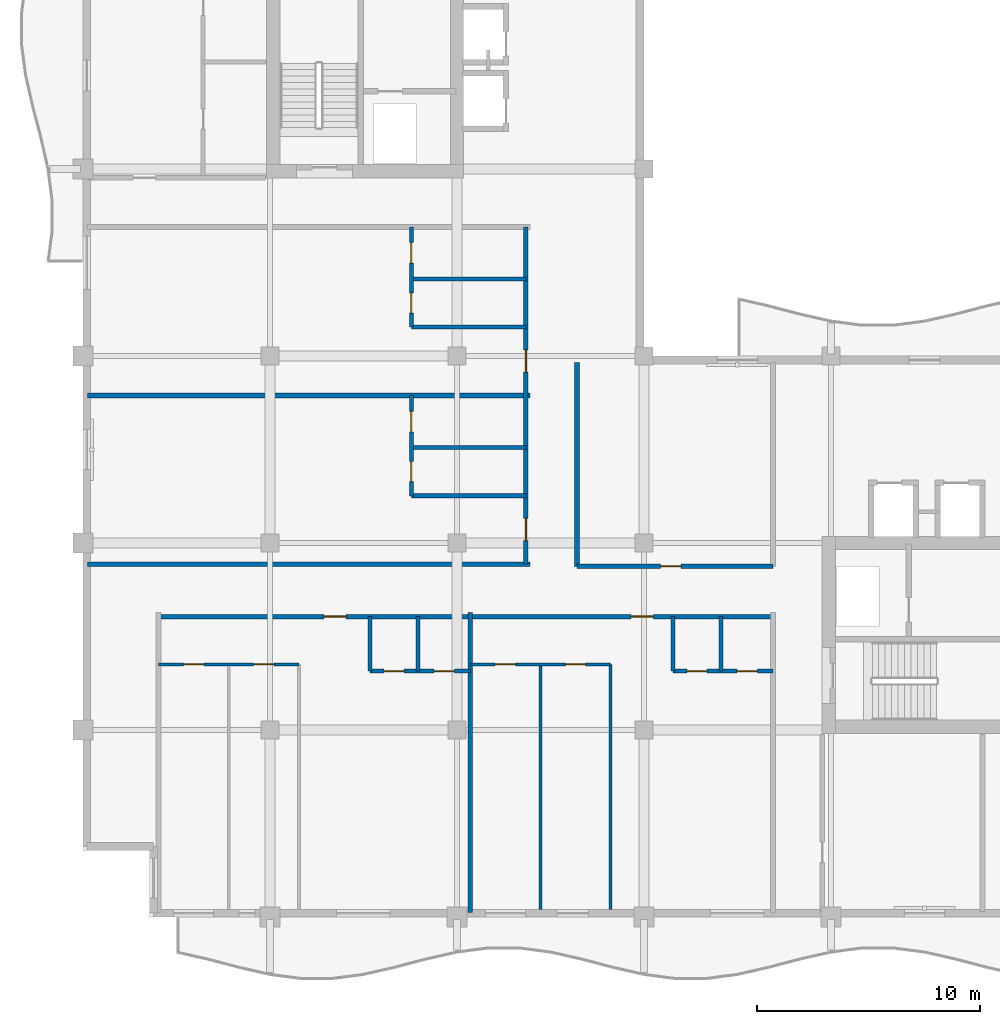
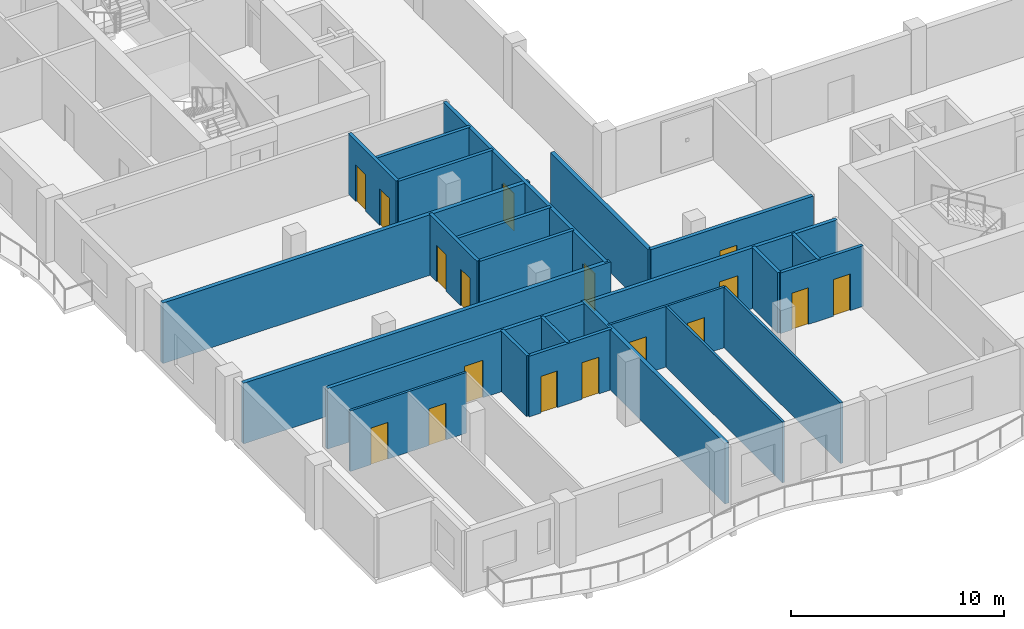
# One storey, part 3 of 12: 23 walls, 17 doors, 17 openings.
"""IFC4 building model written with IfcOpenShell, lengths in metres."""

from ifc_helpers import new_model, si_unit, direction, frame, frame_2d, origin, place, context, subcontext, project, spatial, rectangle, extrude, material, layer, layer_set, type_object, element, fill, save


model = new_model("IFC4")

# Units and contexts
model_context = context("Model", 3, precision=1e-05, world=origin(), true_north=direction((0.0, 1.0)))
body_context = subcontext(model_context, "Body", "Model", "MODEL_VIEW")
ifc_project = project(units=[si_unit("LENGTHUNIT", "METRE"), si_unit("AREAUNIT", "SQUARE_METRE"), si_unit("VOLUMEUNIT", "CUBIC_METRE"), si_unit("PLANEANGLEUNIT", "RADIAN"), si_unit("MASSUNIT", "GRAM", prefix="KILO")], contexts=[model_context])

# Site, building, storey
site_placement = place(None, origin())
site = spatial("IfcSite", under=ifc_project, at=site_placement, CompositionType="ELEMENT")
building_placement = place(site_placement, origin())
building = spatial("IfcBuilding", under=site, at=building_placement, Name="Koriwani Terraces Tower", CompositionType="ELEMENT")
storey_placement = place(building_placement, frame((0.0, 0.0, 263.800048828125)))
storey = spatial("IfcBuildingStorey", under=building, at=storey_placement, Name="L65", CompositionType="ELEMENT", Elevation=263.800048828125)

# Wall, opening, door
ifc_material_1 = material(Name="Autoclaved Cellular Concrete Blockwork", Category="masonry")
ifc_layer_1 = layer(ifc_material_1, 0.199951171875, Name="Autoclaved Cellular Concrete Blockwork")
ifc_layer_set_1 = layer_set([ifc_layer_1], Name="Autoclaved Cellular Concrete Blockwork")
wall_type_1 = type_object("IfcWallType", Name="WALL_CORRIDOR_200", PredefinedType="PARTITIONING", material=ifc_layer_set_1)
wall_1_placement = place(storey_placement, frame((30.60009765625, 24.14990234375, 0.0), z_axis=(0.0, 0.0, 1.0), x_axis=(1.0, 0.0, 0.0)))
wall_1 = element("IfcWall", 1, at=wall_1_placement, inside=storey, type_object=wall_type_1, Name="L65 Interior Wall WIC4S-L65", PredefinedType="PARTITIONING", context=body_context, shape_type="SweptSolid", body=[
    extrude(rectangle(XDim=8.7998046875, YDim=0.199951171875, at=frame_2d((4.39990234375, 0.0))), origin(), (0.0, 0.0, 1.0), 3.469970703125),
])
opening_1_placement = place(wall_1_placement, frame((3.75, 0.0, 0.0)))
opening_1 = element("IfcOpeningElement", 2, at=opening_1_placement, cuts=wall_1, Name="Opening D-06", PredefinedType="OPENING", context=body_context, shape_type="SweptSolid", body=[
    extrude(rectangle(XDim=0.919921875, YDim=2.10009765625, at=frame_2d((0.4599609375, 1.050048828125))), frame((0.0, 0.10986328125, 0.0), z_axis=(0.0, -1.0, 0.0), x_axis=(1.0, 0.0, 0.0)), (0.0, 0.0, 1.0), 0.219970703125),
])
ifc_material_2 = material(Name="Architectural Oak Fire Door", Category="wood")
door_type_1 = type_object("IfcDoorType", Name="DOOR_ROOM_INT_920X2100", OperationType="NOTDEFINED", PredefinedType="DOOR", material=ifc_material_2)
door_1_placement = place(opening_1_placement, origin())
door_1 = element("IfcDoor", 3, at=door_1_placement, inside=storey, type_object=door_type_1, Name="L65 High-Rise Court Lounge Door", OperationType="SINGLE_SWING_LEFT", OverallHeight=2.10009765625, OverallWidth=0.919921875, PredefinedType="DOOR", context=body_context, shape_type="SweptSolid", body=[
    extrude(rectangle(XDim=0.919921875, YDim=2.10009765625, at=frame_2d((0.4599609375, 1.050048828125))), frame((0.0, 0.02490234375, 0.0), z_axis=(0.0, -1.0, 0.0), x_axis=(1.0, 0.0, 0.0)), (0.0, 0.0, 1.0), 0.050048828125),
])
fill(opening_1, door_1)

# Wall, openings, doors
wall_2_placement = place(storey_placement, frame((11.800048828125, 21.89990234375, 0.0), z_axis=(0.0, 0.0, 1.0), x_axis=(1.0, 0.0, 0.0)))
wall_2 = element("IfcWall", 4, at=wall_2_placement, inside=storey, type_object=wall_type_1, Name="L65 Interior Wall WRCOR-L65-SW-0", PredefinedType="PARTITIONING", context=body_context, shape_type="SweptSolid", body=[
    extrude(rectangle(XDim=27.599853515625, YDim=0.199951171875, at=frame_2d((13.7998046875, 0.0))), origin(), (0.0, 0.0, 1.0), 3.469970703125),
])
opening_2_placement = place(wall_2_placement, frame((7.419921875, 0.0, 0.0)))
opening_2 = element("IfcOpeningElement", 5, at=opening_2_placement, cuts=wall_2, Name="Opening D-05", PredefinedType="OPENING", context=body_context, shape_type="SweptSolid", body=[
    extrude(rectangle(XDim=1.0, YDim=2.14990234375, at=frame_2d((0.5, 1.074951171875))), frame((0.0, 0.10986328125, 0.0), z_axis=(0.0, -1.0, 0.0), x_axis=(1.0, 0.0, 0.0)), (0.0, 0.0, 1.0), 0.219970703125),
])
opening_3_placement = place(wall_2_placement, frame((21.219970703125, 0.0, 0.0)))
opening_3 = element("IfcOpeningElement", 6, at=opening_3_placement, cuts=wall_2, Name="Opening D-05", PredefinedType="OPENING", context=body_context, shape_type="SweptSolid", body=[
    extrude(rectangle(XDim=1.0, YDim=2.14990234375, at=frame_2d((0.5, 1.074951171875))), frame((0.0, 0.10986328125, 0.0), z_axis=(0.0, -1.0, 0.0), x_axis=(1.0, 0.0, 0.0)), (0.0, 0.0, 1.0), 0.219970703125),
])
door_type_2 = type_object("IfcDoorType", Name="DOOR_SUITE_ENTRY_1000X2150", OperationType="NOTDEFINED", PredefinedType="DOOR", material=ifc_material_2)
door_2_placement = place(opening_2_placement, origin())
door_2 = element("IfcDoor", 7, at=door_2_placement, inside=storey, type_object=door_type_2, Name="Apartment 65SW1 Entrance Door", OperationType="SINGLE_SWING_RIGHT", OverallHeight=2.14990234375, OverallWidth=1.0, PredefinedType="DOOR", context=body_context, shape_type="SweptSolid", body=[
    extrude(rectangle(XDim=1.0, YDim=2.14990234375, at=frame_2d((0.5, 1.074951171875))), frame((0.0, 0.02490234375, 0.0), z_axis=(0.0, -1.0, 0.0), x_axis=(1.0, 0.0, 0.0)), (0.0, 0.0, 1.0), 0.050048828125),
])
fill(opening_2, door_2)
door_3_placement = place(opening_3_placement, origin())
door_3 = element("IfcDoor", 8, at=door_3_placement, inside=storey, type_object=door_type_2, Name="Apartment 65SW2 Entrance Door", OperationType="SINGLE_SWING_LEFT", OverallHeight=2.14990234375, OverallWidth=1.0, PredefinedType="DOOR", context=body_context, shape_type="SweptSolid", body=[
    extrude(rectangle(XDim=1.0, YDim=2.14990234375, at=frame_2d((0.5, 1.074951171875))), frame((0.0, 0.02490234375, 0.0), z_axis=(0.0, -1.0, 0.0), x_axis=(1.0, 0.0, 0.0)), (0.0, 0.0, 1.0), 0.050048828125),
])
fill(opening_3, door_3)

wall_3_placement = place(storey_placement, frame((28.300048828125, 24.25, 0.0), z_axis=(0.0, 0.0, 1.0), x_axis=(0.0, 1.0, 0.0)))
wall_3 = element("IfcWall", 9, at=wall_3_placement, inside=storey, type_object=wall_type_1, Name="L65 Interior Wall WRCOR-L65-NE-0", PredefinedType="PARTITIONING", context=body_context, shape_type="SweptSolid", body=[
    extrude(rectangle(XDim=15.14990234375, YDim=0.199951171875, at=frame_2d((7.574951171875, 0.0))), origin(), (0.0, 0.0, 1.0), 3.469970703125),
])
opening_4_placement = place(wall_3_placement, frame((1.0576171875, 0.0, 0.0)))
opening_4 = element("IfcOpeningElement", 10, at=opening_4_placement, cuts=wall_3, Name="Opening D-05", PredefinedType="OPENING", context=body_context, shape_type="SweptSolid", body=[
    extrude(rectangle(XDim=1.0, YDim=2.14990234375, at=frame_2d((0.5, 1.074951171875))), frame((0.0, 0.10986328125, 0.0), z_axis=(0.0, -1.0, 0.0), x_axis=(1.0, 0.0, 0.0)), (0.0, 0.0, 1.0), 0.219970703125),
])
opening_5_placement = place(wall_3_placement, frame((8.632568359375, 0.0, 0.0)))
opening_5 = element("IfcOpeningElement", 11, at=opening_5_placement, cuts=wall_3, Name="Opening D-05", PredefinedType="OPENING", context=body_context, shape_type="SweptSolid", body=[
    extrude(rectangle(XDim=1.0, YDim=2.14990234375, at=frame_2d((0.5, 1.074951171875))), frame((0.0, 0.10986328125, 0.0), z_axis=(0.0, -1.0, 0.0), x_axis=(1.0, 0.0, 0.0)), (0.0, 0.0, 1.0), 0.219970703125),
])
door_4_placement = place(opening_4_placement, origin())
door_4 = element("IfcDoor", 12, at=door_4_placement, inside=storey, type_object=door_type_2, Name="Apartment 65NE1 Entrance Door", OperationType="SINGLE_SWING_RIGHT", OverallHeight=2.14990234375, OverallWidth=1.0, PredefinedType="DOOR", context=body_context, shape_type="SweptSolid", body=[
    extrude(rectangle(XDim=1.0, YDim=2.14990234375, at=frame_2d((0.5, 1.074951171875))), frame((0.0, 0.02490234375, 0.0), z_axis=(0.0, -1.0, 0.0), x_axis=(1.0, 0.0, 0.0)), (0.0, 0.0, 1.0), 0.050048828125),
])
fill(opening_4, door_4)
door_5_placement = place(opening_5_placement, origin())
door_5 = element("IfcDoor", 13, at=door_5_placement, inside=storey, type_object=door_type_2, Name="Apartment 65NE2 Entrance Door", OperationType="SINGLE_SWING_LEFT", OverallHeight=2.14990234375, OverallWidth=1.0, PredefinedType="DOOR", context=body_context, shape_type="SweptSolid", body=[
    extrude(rectangle(XDim=1.0, YDim=2.14990234375, at=frame_2d((0.5, 1.074951171875))), frame((0.0, 0.02490234375, 0.0), z_axis=(0.0, -1.0, 0.0), x_axis=(1.0, 0.0, 0.0)), (0.0, 0.0, 1.0), 0.050048828125),
])
fill(opening_5, door_5)

# Walls
ifc_layer_2 = layer(ifc_material_1, 0.219970703125, Name="Autoclaved Cellular Concrete Blockwork")
ifc_layer_set_2 = layer_set([ifc_layer_2], Name="Autoclaved Cellular Concrete Blockwork")
wall_type_2 = type_object("IfcWallType", Name="WALL_DEMISING_220", PredefinedType="PARTITIONING", material=ifc_layer_set_2)
wall_4_placement = place(storey_placement, frame((30.60009765625, 24.14990234375, 0.0), z_axis=(0.0, 0.0, 1.0), x_axis=(0.0, 1.0, 0.0)))
element("IfcWall", 14, at=wall_4_placement, inside=storey, type_object=wall_type_2, Name="L65 Interior Wall WIC4SW-L65", PredefinedType="PARTITIONING", context=body_context, shape_type="SweptSolid", body=[
    extrude(rectangle(XDim=9.150146484375, YDim=0.219970703125, at=frame_2d((4.5751953125, 0.0))), origin(), (0.0, 0.0, 1.0), 3.469970703125),
])
wall_5_placement = place(storey_placement, frame((25.800048828125, 8.60009765625, 0.0), z_axis=(0.0, 0.0, 1.0), x_axis=(0.0, 1.0, 0.0)))
element("IfcWall", 15, at=wall_5_placement, inside=storey, type_object=wall_type_2, Name="L65 Interior Wall WRDEM-L65-SW-1", PredefinedType="PARTITIONING", context=body_context, shape_type="SweptSolid", body=[
    extrude(rectangle(XDim=13.47998046875, YDim=0.219970703125, at=frame_2d((6.739990234375, 0.0))), origin(), (0.0, 0.0, 1.0), 3.469970703125),
])
for number, where, z_axis, x_axis, name in (
    (16, (8.60009765625, 24.25, 0.0), (0.0, 0.0, 1.0), (1.0, 0.0, 0.0), "L65 Interior Wall WRDEM-L65-NE-0"),
    (17, (8.60009765625, 31.824951171875, 0.0), (0.0, 0.0, 1.0), (1.0, 0.0, 0.0), "L65 Interior Wall WRDEM-L65-NE-1"),
):
    element("IfcWall", number, at=place(storey_placement, frame(where, z_axis=z_axis, x_axis=x_axis)), inside=storey, type_object=wall_type_2, Name=name, PredefinedType="PARTITIONING", context=body_context, shape_type="SweptSolid", body=[
        extrude(rectangle(XDim=19.8798828125, YDim=0.219970703125, at=frame_2d((9.93994140625, 0.0))), origin(), (0.0, 0.0, 1.0), 3.469970703125),
    ])

# Wall, openings, doors
ifc_material_3 = material(Name="Fire-Rated Acoustic Gypsum Partition", Category="masonry")
ifc_layer_3 = layer(ifc_material_3, 0.125, Name="Fire-Rated Acoustic Gypsum Partition")
ifc_layer_set_3 = layer_set([ifc_layer_3], Name="Fire-Rated Acoustic Gypsum Partition")
wall_type_3 = type_object("IfcWallType", Name="WALL_INT_125", PredefinedType="PARTITIONING", material=ifc_layer_set_3)
wall_6_placement = place(storey_placement, frame((11.800048828125, 19.75, 0.0), z_axis=(0.0, 0.0, 1.0), x_axis=(1.0, 0.0, 0.0)))
wall_6 = element("IfcWall", 18, at=wall_6_placement, inside=storey, type_object=wall_type_3, Name="L65 Interior Wall WRBH-L65-SW-0", PredefinedType="PARTITIONING", context=body_context, shape_type="SweptSolid", body=[
    extrude(rectangle(XDim=6.300048828125, YDim=0.125, at=frame_2d((3.14990234375, 0.0))), origin(), (0.0, 0.0, 1.0), 3.469970703125),
])
opening_6_placement = place(wall_6_placement, frame((1.114990234375, 0.0, 0.0)))
opening_6 = element("IfcOpeningElement", 19, at=opening_6_placement, cuts=wall_6, Name="Opening D-06", PredefinedType="OPENING", context=body_context, shape_type="SweptSolid", body=[
    extrude(rectangle(XDim=0.919921875, YDim=2.10009765625, at=frame_2d((0.4599609375, 1.050048828125))), frame((0.0, 0.072509765625, 0.0), z_axis=(0.0, -1.0, 0.0), x_axis=(1.0, 0.0, 0.0)), (0.0, 0.0, 1.0), 0.14501953125),
])
opening_7_placement = place(wall_6_placement, frame((4.264892578125, 0.0, 0.0)))
opening_7 = element("IfcOpeningElement", 20, at=opening_7_placement, cuts=wall_6, Name="Opening D-06", PredefinedType="OPENING", context=body_context, shape_type="SweptSolid", body=[
    extrude(rectangle(XDim=0.919921875, YDim=2.10009765625, at=frame_2d((0.4599609375, 1.050048828125))), frame((0.0, 0.072509765625, 0.0), z_axis=(0.0, -1.0, 0.0), x_axis=(1.0, 0.0, 0.0)), (0.0, 0.0, 1.0), 0.14501953125),
])
door_6_placement = place(opening_6_placement, origin())
door_6 = element("IfcDoor", 21, at=door_6_placement, inside=storey, type_object=door_type_1, Name="Apartment 65SW1 Master Bedroom Door", OperationType="SINGLE_SWING_LEFT", OverallHeight=2.10009765625, OverallWidth=0.919921875, PredefinedType="DOOR", context=body_context, shape_type="SweptSolid", body=[
    extrude(rectangle(XDim=0.919921875, YDim=2.10009765625, at=frame_2d((0.4599609375, 1.050048828125))), frame((0.0, 0.02490234375, 0.0), z_axis=(0.0, -1.0, 0.0), x_axis=(1.0, 0.0, 0.0)), (0.0, 0.0, 1.0), 0.050048828125),
])
fill(opening_6, door_6)
door_7_placement = place(opening_7_placement, origin())
door_7 = element("IfcDoor", 22, at=door_7_placement, inside=storey, type_object=door_type_1, Name="Apartment 65SW1 Bedroom 2 Door", OperationType="SINGLE_SWING_RIGHT", OverallHeight=2.10009765625, OverallWidth=0.919921875, PredefinedType="DOOR", context=body_context, shape_type="SweptSolid", body=[
    extrude(rectangle(XDim=0.919921875, YDim=2.10009765625, at=frame_2d((0.4599609375, 1.050048828125))), frame((0.0, 0.02490234375, 0.0), z_axis=(0.0, -1.0, 0.0), x_axis=(1.0, 0.0, 0.0)), (0.0, 0.0, 1.0), 0.050048828125),
])
fill(opening_7, door_7)

# Walls
for number, where, z_axis, x_axis, name in (
    (23, (28.949951171875, 8.75, 0.0), (0.0, 0.0, 1.0), (0.0, 1.0, 0.0), "L65 Interior Wall WRB12-L65-SW-1"),
    (24, (32.10009765625, 8.75, 0.0), (0.0, 0.0, 1.0), (0.0, 1.0, 0.0), "L65 Interior Wall WRB2L-L65-SW-1"),
):
    element("IfcWall", number, at=place(storey_placement, frame(where, z_axis=z_axis, x_axis=x_axis)), inside=storey, type_object=wall_type_3, Name=name, PredefinedType="PARTITIONING", context=body_context, shape_type="SweptSolid", body=[
        extrude(rectangle(XDim=11.0, YDim=0.125, at=frame_2d((5.5, 0.0))), origin(), (0.0, 0.0, 1.0), 3.469970703125),
    ])

# Wall, openings, doors
wall_7_placement = place(storey_placement, frame((25.800048828125, 19.75, 0.0), z_axis=(0.0, 0.0, 1.0), x_axis=(1.0, 0.0, 0.0)))
wall_7 = element("IfcWall", 25, at=wall_7_placement, inside=storey, type_object=wall_type_3, Name="L65 Interior Wall WRBH-L65-SW-1", PredefinedType="PARTITIONING", context=body_context, shape_type="SweptSolid", body=[
    extrude(rectangle(XDim=6.300048828125, YDim=0.125, at=frame_2d((3.14990234375, 0.0))), origin(), (0.0, 0.0, 1.0), 3.469970703125),
])
opening_8_placement = place(wall_7_placement, frame((1.114990234375, 0.0, 0.0)))
opening_8 = element("IfcOpeningElement", 26, at=opening_8_placement, cuts=wall_7, Name="Opening D-06", PredefinedType="OPENING", context=body_context, shape_type="SweptSolid", body=[
    extrude(rectangle(XDim=0.919921875, YDim=2.10009765625, at=frame_2d((0.4599609375, 1.050048828125))), frame((0.0, 0.072509765625, 0.0), z_axis=(0.0, -1.0, 0.0), x_axis=(1.0, 0.0, 0.0)), (0.0, 0.0, 1.0), 0.14501953125),
])
opening_9_placement = place(wall_7_placement, frame((4.264892578125, 0.0, 0.0)))
opening_9 = element("IfcOpeningElement", 27, at=opening_9_placement, cuts=wall_7, Name="Opening D-06", PredefinedType="OPENING", context=body_context, shape_type="SweptSolid", body=[
    extrude(rectangle(XDim=0.919921875, YDim=2.10009765625, at=frame_2d((0.4599609375, 1.050048828125))), frame((0.0, 0.072509765625, 0.0), z_axis=(0.0, -1.0, 0.0), x_axis=(1.0, 0.0, 0.0)), (0.0, 0.0, 1.0), 0.14501953125),
])
door_8_placement = place(opening_8_placement, origin())
door_8 = element("IfcDoor", 28, at=door_8_placement, inside=storey, type_object=door_type_1, Name="Apartment 65SW2 Master Bedroom Door", OperationType="SINGLE_SWING_RIGHT", OverallHeight=2.10009765625, OverallWidth=0.919921875, PredefinedType="DOOR", context=body_context, shape_type="SweptSolid", body=[
    extrude(rectangle(XDim=0.919921875, YDim=2.10009765625, at=frame_2d((0.4599609375, 1.050048828125))), frame((0.0, 0.02490234375, 0.0), z_axis=(0.0, -1.0, 0.0), x_axis=(1.0, 0.0, 0.0)), (0.0, 0.0, 1.0), 0.050048828125),
])
fill(opening_8, door_8)
door_9_placement = place(opening_9_placement, origin())
door_9 = element("IfcDoor", 29, at=door_9_placement, inside=storey, type_object=door_type_1, Name="Apartment 65SW2 Bedroom 2 Door", OperationType="SINGLE_SWING_LEFT", OverallHeight=2.10009765625, OverallWidth=0.919921875, PredefinedType="DOOR", context=body_context, shape_type="SweptSolid", body=[
    extrude(rectangle(XDim=0.919921875, YDim=2.10009765625, at=frame_2d((0.4599609375, 1.050048828125))), frame((0.0, 0.02490234375, 0.0), z_axis=(0.0, -1.0, 0.0), x_axis=(1.0, 0.0, 0.0)), (0.0, 0.0, 1.0), 0.050048828125),
])
fill(opening_9, door_9)

ifc_layer_4 = layer(ifc_material_3, 0.179931640625, Name="Fire-Rated Acoustic Gypsum Partition")
ifc_layer_set_4 = layer_set([ifc_layer_4], Name="Fire-Rated Acoustic Gypsum Partition")
wall_type_4 = type_object("IfcWallType", Name="WALL_PLUMBING_180", PredefinedType="PLUMBINGWALL", material=ifc_layer_set_4)
wall_8_placement = place(storey_placement, frame((21.300048828125, 19.449951171875, 0.0), z_axis=(0.0, 0.0, 1.0), x_axis=(1.0, 0.0, 0.0)))
wall_8 = element("IfcWall", 30, at=wall_8_placement, inside=storey, type_object=wall_type_4, Name="L65 Interior Wall WRSVC-L65-SW-0", PredefinedType="PLUMBINGWALL", context=body_context, shape_type="SweptSolid", body=[
    extrude(rectangle(XDim=4.5, YDim=0.179931640625, at=frame_2d((2.25, 0.0))), origin(), (0.0, 0.0, 1.0), 3.469970703125),
])
opening_10_placement = place(wall_8_placement, frame((0.6298828125, 0.0, 0.0)))
opening_10 = element("IfcOpeningElement", 31, at=opening_10_placement, cuts=wall_8, Name="Opening D-07", PredefinedType="OPENING", context=body_context, shape_type="SweptSolid", body=[
    extrude(rectangle(XDim=0.89990234375, YDim=2.10009765625, at=frame_2d((0.449951171875, 1.050048828125))), frame((0.0, 0.10009765625, 0.0), z_axis=(0.0, -1.0, 0.0), x_axis=(1.0, 0.0, 0.0)), (0.0, 0.0, 1.0), 0.199951171875),
])
opening_11_placement = place(wall_8_placement, frame((2.8701171875, 0.0, 0.0)))
opening_11 = element("IfcOpeningElement", 32, at=opening_11_placement, cuts=wall_8, Name="Opening D-06", PredefinedType="OPENING", context=body_context, shape_type="SweptSolid", body=[
    extrude(rectangle(XDim=0.919921875, YDim=2.10009765625, at=frame_2d((0.4599609375, 1.050048828125))), frame((0.0, 0.10009765625, 0.0), z_axis=(0.0, -1.0, 0.0), x_axis=(1.0, 0.0, 0.0)), (0.0, 0.0, 1.0), 0.199951171875),
])
door_type_3 = type_object("IfcDoorType", Name="DOOR_BATH_INT_900X2100", OperationType="NOTDEFINED", PredefinedType="DOOR", material=ifc_material_2)
door_10_placement = place(opening_10_placement, origin())
door_10 = element("IfcDoor", 33, at=door_10_placement, inside=storey, type_object=door_type_3, Name="Apartment 65SW1 Bathroom Door", OperationType="SINGLE_SWING_LEFT", OverallHeight=2.10009765625, OverallWidth=0.89990234375, PredefinedType="DOOR", context=body_context, shape_type="SweptSolid", body=[
    extrude(rectangle(XDim=0.89990234375, YDim=2.10009765625, at=frame_2d((0.449951171875, 1.050048828125))), frame((0.0, 0.02490234375, 0.0), z_axis=(0.0, -1.0, 0.0), x_axis=(1.0, 0.0, 0.0)), (0.0, 0.0, 1.0), 0.050048828125),
])
fill(opening_10, door_10)
door_11_placement = place(opening_11_placement, origin())
door_11 = element("IfcDoor", 34, at=door_11_placement, inside=storey, type_object=door_type_1, Name="Apartment 65SW1 Kitchen Door", OperationType="SINGLE_SWING_RIGHT", OverallHeight=2.10009765625, OverallWidth=0.919921875, PredefinedType="DOOR", context=body_context, shape_type="SweptSolid", body=[
    extrude(rectangle(XDim=0.919921875, YDim=2.10009765625, at=frame_2d((0.4599609375, 1.050048828125))), frame((0.0, 0.02490234375, 0.0), z_axis=(0.0, -1.0, 0.0), x_axis=(1.0, 0.0, 0.0)), (0.0, 0.0, 1.0), 0.050048828125),
])
fill(opening_11, door_11)

# Walls
for number, where, z_axis, x_axis, name in (
    (35, (21.300048828125, 19.449951171875, 0.0), (0.0, 0.0, 1.0), (0.0, 1.0, 0.0), "L65 Interior Wall WRSVCS-L65-SW-0"),
    (36, (23.4599609375, 19.449951171875, 0.0), (0.0, 0.0, 1.0), (0.0, 1.0, 0.0), "L65 Interior Wall WRSVCM-L65-SW-0"),
):
    element("IfcWall", number, at=place(storey_placement, frame(where, z_axis=z_axis, x_axis=x_axis)), inside=storey, type_object=wall_type_4, Name=name, PredefinedType="PLUMBINGWALL", context=body_context, shape_type="SweptSolid", body=[
        extrude(rectangle(XDim=2.449951171875, YDim=0.179931640625, at=frame_2d((1.22509765625, 0.0))), origin(), (0.0, 0.0, 1.0), 3.469970703125),
    ])

# Wall, openings, doors
wall_9_placement = place(storey_placement, frame((34.89990234375, 19.449951171875, 0.0), z_axis=(0.0, 0.0, 1.0), x_axis=(1.0, 0.0, 0.0)))
wall_9 = element("IfcWall", 37, at=wall_9_placement, inside=storey, type_object=wall_type_4, Name="L65 Interior Wall WRSVC-L65-SW-1", PredefinedType="PLUMBINGWALL", context=body_context, shape_type="SweptSolid", body=[
    extrude(rectangle(XDim=4.5, YDim=0.179931640625, at=frame_2d((2.25, 0.0))), origin(), (0.0, 0.0, 1.0), 3.469970703125),
])
opening_12_placement = place(wall_9_placement, frame((0.6298828125, 0.0, 0.0)))
opening_12 = element("IfcOpeningElement", 38, at=opening_12_placement, cuts=wall_9, Name="Opening D-07", PredefinedType="OPENING", context=body_context, shape_type="SweptSolid", body=[
    extrude(rectangle(XDim=0.89990234375, YDim=2.10009765625, at=frame_2d((0.449951171875, 1.050048828125))), frame((0.0, 0.10009765625, 0.0), z_axis=(0.0, -1.0, 0.0), x_axis=(1.0, 0.0, 0.0)), (0.0, 0.0, 1.0), 0.199951171875),
])
opening_13_placement = place(wall_9_placement, frame((2.8701171875, 0.0, 0.0)))
opening_13 = element("IfcOpeningElement", 39, at=opening_13_placement, cuts=wall_9, Name="Opening D-06", PredefinedType="OPENING", context=body_context, shape_type="SweptSolid", body=[
    extrude(rectangle(XDim=0.919921875, YDim=2.10009765625, at=frame_2d((0.4599609375, 1.050048828125))), frame((0.0, 0.10009765625, 0.0), z_axis=(0.0, -1.0, 0.0), x_axis=(1.0, 0.0, 0.0)), (0.0, 0.0, 1.0), 0.199951171875),
])
door_12_placement = place(opening_12_placement, origin())
door_12 = element("IfcDoor", 40, at=door_12_placement, inside=storey, type_object=door_type_3, Name="Apartment 65SW2 Bathroom Door", OperationType="SINGLE_SWING_RIGHT", OverallHeight=2.10009765625, OverallWidth=0.89990234375, PredefinedType="DOOR", context=body_context, shape_type="SweptSolid", body=[
    extrude(rectangle(XDim=0.89990234375, YDim=2.10009765625, at=frame_2d((0.449951171875, 1.050048828125))), frame((0.0, 0.02490234375, 0.0), z_axis=(0.0, -1.0, 0.0), x_axis=(1.0, 0.0, 0.0)), (0.0, 0.0, 1.0), 0.050048828125),
])
fill(opening_12, door_12)
door_13_placement = place(opening_13_placement, origin())
door_13 = element("IfcDoor", 41, at=door_13_placement, inside=storey, type_object=door_type_1, Name="Apartment 65SW2 Kitchen Door", OperationType="SINGLE_SWING_LEFT", OverallHeight=2.10009765625, OverallWidth=0.919921875, PredefinedType="DOOR", context=body_context, shape_type="SweptSolid", body=[
    extrude(rectangle(XDim=0.919921875, YDim=2.10009765625, at=frame_2d((0.4599609375, 1.050048828125))), frame((0.0, 0.02490234375, 0.0), z_axis=(0.0, -1.0, 0.0), x_axis=(1.0, 0.0, 0.0)), (0.0, 0.0, 1.0), 0.050048828125),
])
fill(opening_13, door_13)

# Walls
for number, where, z_axis, x_axis, name in (
    (42, (34.89990234375, 19.449951171875, 0.0), (0.0, 0.0, 1.0), (0.0, 1.0, 0.0), "L65 Interior Wall WRSVCS-L65-SW-1"),
    (43, (37.06005859375, 19.449951171875, 0.0), (0.0, 0.0, 1.0), (0.0, 1.0, 0.0), "L65 Interior Wall WRSVCM-L65-SW-1"),
):
    element("IfcWall", number, at=place(storey_placement, frame(where, z_axis=z_axis, x_axis=x_axis)), inside=storey, type_object=wall_type_4, Name=name, PredefinedType="PLUMBINGWALL", context=body_context, shape_type="SweptSolid", body=[
        extrude(rectangle(XDim=2.449951171875, YDim=0.179931640625, at=frame_2d((1.22509765625, 0.0))), origin(), (0.0, 0.0, 1.0), 3.469970703125),
    ])

# Wall, openings, doors
wall_10_placement = place(storey_placement, frame((23.14990234375, 27.324951171875, 0.0), z_axis=(0.0, 0.0, 1.0), x_axis=(0.0, 1.0, 0.0)))
wall_10 = element("IfcWall", 44, at=wall_10_placement, inside=storey, type_object=wall_type_4, Name="L65 Interior Wall WRSVC-L65-NE-0", PredefinedType="PLUMBINGWALL", context=body_context, shape_type="SweptSolid", body=[
    extrude(rectangle(XDim=4.5, YDim=0.179931640625, at=frame_2d((2.25, 0.0))), origin(), (0.0, 0.0, 1.0), 3.469970703125),
])
opening_14_placement = place(wall_10_placement, frame((0.6298828125, 0.0, 0.0)))
opening_14 = element("IfcOpeningElement", 45, at=opening_14_placement, cuts=wall_10, Name="Opening D-07", PredefinedType="OPENING", context=body_context, shape_type="SweptSolid", body=[
    extrude(rectangle(XDim=0.89990234375, YDim=2.10009765625, at=frame_2d((0.449951171875, 1.050048828125))), frame((0.0, 0.10009765625, 0.0), z_axis=(0.0, -1.0, 0.0), x_axis=(1.0, 0.0, 0.0)), (0.0, 0.0, 1.0), 0.199951171875),
])
opening_15_placement = place(wall_10_placement, frame((2.8701171875, 0.0, 0.0)))
opening_15 = element("IfcOpeningElement", 46, at=opening_15_placement, cuts=wall_10, Name="Opening D-06", PredefinedType="OPENING", context=body_context, shape_type="SweptSolid", body=[
    extrude(rectangle(XDim=0.919921875, YDim=2.10009765625, at=frame_2d((0.4599609375, 1.050048828125))), frame((0.0, 0.10009765625, 0.0), z_axis=(0.0, -1.0, 0.0), x_axis=(1.0, 0.0, 0.0)), (0.0, 0.0, 1.0), 0.199951171875),
])
door_14_placement = place(opening_14_placement, origin())
door_14 = element("IfcDoor", 47, at=door_14_placement, inside=storey, type_object=door_type_3, Name="Apartment 65NE1 Bathroom Door", OperationType="SINGLE_SWING_LEFT", OverallHeight=2.10009765625, OverallWidth=0.89990234375, PredefinedType="DOOR", context=body_context, shape_type="SweptSolid", body=[
    extrude(rectangle(XDim=0.89990234375, YDim=2.10009765625, at=frame_2d((0.449951171875, 1.050048828125))), frame((0.0, 0.02490234375, 0.0), z_axis=(0.0, -1.0, 0.0), x_axis=(1.0, 0.0, 0.0)), (0.0, 0.0, 1.0), 0.050048828125),
])
fill(opening_14, door_14)
door_15_placement = place(opening_15_placement, origin())
door_15 = element("IfcDoor", 48, at=door_15_placement, inside=storey, type_object=door_type_1, Name="Apartment 65NE1 Kitchen Door", OperationType="SINGLE_SWING_RIGHT", OverallHeight=2.10009765625, OverallWidth=0.919921875, PredefinedType="DOOR", context=body_context, shape_type="SweptSolid", body=[
    extrude(rectangle(XDim=0.919921875, YDim=2.10009765625, at=frame_2d((0.4599609375, 1.050048828125))), frame((0.0, 0.02490234375, 0.0), z_axis=(0.0, -1.0, 0.0), x_axis=(1.0, 0.0, 0.0)), (0.0, 0.0, 1.0), 0.050048828125),
])
fill(opening_15, door_15)

# Walls
for number, where, z_axis, x_axis, name in (
    (49, (23.14990234375, 27.324951171875, 0.0), (0.0, 0.0, 1.0), (1.0, 0.0, 0.0), "L65 Interior Wall WRSVCS-L65-NE-0"),
    (50, (23.14990234375, 29.485107421875, 0.0), (0.0, 0.0, 1.0), (1.0, 0.0, 0.0), "L65 Interior Wall WRSVCM-L65-NE-0"),
):
    element("IfcWall", number, at=place(storey_placement, frame(where, z_axis=z_axis, x_axis=x_axis)), inside=storey, type_object=wall_type_4, Name=name, PredefinedType="PLUMBINGWALL", context=body_context, shape_type="SweptSolid", body=[
        extrude(rectangle(XDim=5.150146484375, YDim=0.179931640625, at=frame_2d((2.5751953125, 0.0))), origin(), (0.0, 0.0, 1.0), 3.469970703125),
    ])

# Wall, openings, doors
wall_11_placement = place(storey_placement, frame((23.14990234375, 34.89990234375, 0.0), z_axis=(0.0, 0.0, 1.0), x_axis=(0.0, 1.0, 0.0)))
wall_11 = element("IfcWall", 51, at=wall_11_placement, inside=storey, type_object=wall_type_4, Name="L65 Interior Wall WRSVC-L65-NE-1", PredefinedType="PLUMBINGWALL", context=body_context, shape_type="SweptSolid", body=[
    extrude(rectangle(XDim=4.5, YDim=0.179931640625, at=frame_2d((2.25, 0.0))), origin(), (0.0, 0.0, 1.0), 3.469970703125),
])
opening_16_placement = place(wall_11_placement, frame((0.6298828125, 0.0, 0.0)))
opening_16 = element("IfcOpeningElement", 52, at=opening_16_placement, cuts=wall_11, Name="Opening D-07", PredefinedType="OPENING", context=body_context, shape_type="SweptSolid", body=[
    extrude(rectangle(XDim=0.89990234375, YDim=2.10009765625, at=frame_2d((0.449951171875, 1.050048828125))), frame((0.0, 0.10009765625, 0.0), z_axis=(0.0, -1.0, 0.0), x_axis=(1.0, 0.0, 0.0)), (0.0, 0.0, 1.0), 0.199951171875),
])
opening_17_placement = place(wall_11_placement, frame((2.8701171875, 0.0, 0.0)))
opening_17 = element("IfcOpeningElement", 53, at=opening_17_placement, cuts=wall_11, Name="Opening D-06", PredefinedType="OPENING", context=body_context, shape_type="SweptSolid", body=[
    extrude(rectangle(XDim=0.919921875, YDim=2.10009765625, at=frame_2d((0.4599609375, 1.050048828125))), frame((0.0, 0.10009765625, 0.0), z_axis=(0.0, -1.0, 0.0), x_axis=(1.0, 0.0, 0.0)), (0.0, 0.0, 1.0), 0.199951171875),
])
door_16_placement = place(opening_16_placement, origin())
door_16 = element("IfcDoor", 54, at=door_16_placement, inside=storey, type_object=door_type_3, Name="Apartment 65NE2 Bathroom Door", OperationType="SINGLE_SWING_RIGHT", OverallHeight=2.10009765625, OverallWidth=0.89990234375, PredefinedType="DOOR", context=body_context, shape_type="SweptSolid", body=[
    extrude(rectangle(XDim=0.89990234375, YDim=2.10009765625, at=frame_2d((0.449951171875, 1.050048828125))), frame((0.0, 0.02490234375, 0.0), z_axis=(0.0, -1.0, 0.0), x_axis=(1.0, 0.0, 0.0)), (0.0, 0.0, 1.0), 0.050048828125),
])
fill(opening_16, door_16)
door_17_placement = place(opening_17_placement, origin())
door_17 = element("IfcDoor", 55, at=door_17_placement, inside=storey, type_object=door_type_1, Name="Apartment 65NE2 Kitchen Door", OperationType="SINGLE_SWING_LEFT", OverallHeight=2.10009765625, OverallWidth=0.919921875, PredefinedType="DOOR", context=body_context, shape_type="SweptSolid", body=[
    extrude(rectangle(XDim=0.919921875, YDim=2.10009765625, at=frame_2d((0.4599609375, 1.050048828125))), frame((0.0, 0.02490234375, 0.0), z_axis=(0.0, -1.0, 0.0), x_axis=(1.0, 0.0, 0.0)), (0.0, 0.0, 1.0), 0.050048828125),
])
fill(opening_17, door_17)

# Walls
for number, where, z_axis, x_axis, name in (
    (56, (23.14990234375, 34.89990234375, 0.0), (0.0, 0.0, 1.0), (1.0, 0.0, 0.0), "L65 Interior Wall WRSVCS-L65-NE-1"),
    (57, (23.14990234375, 37.06005859375, 0.0), (0.0, 0.0, 1.0), (1.0, 0.0, 0.0), "L65 Interior Wall WRSVCM-L65-NE-1"),
):
    element("IfcWall", number, at=place(storey_placement, frame(where, z_axis=z_axis, x_axis=x_axis)), inside=storey, type_object=wall_type_4, Name=name, PredefinedType="PLUMBINGWALL", context=body_context, shape_type="SweptSolid", body=[
        extrude(rectangle(XDim=5.150146484375, YDim=0.179931640625, at=frame_2d((2.5751953125, 0.0))), origin(), (0.0, 0.0, 1.0), 3.469970703125),
    ])

save(model, "model.ifc")
